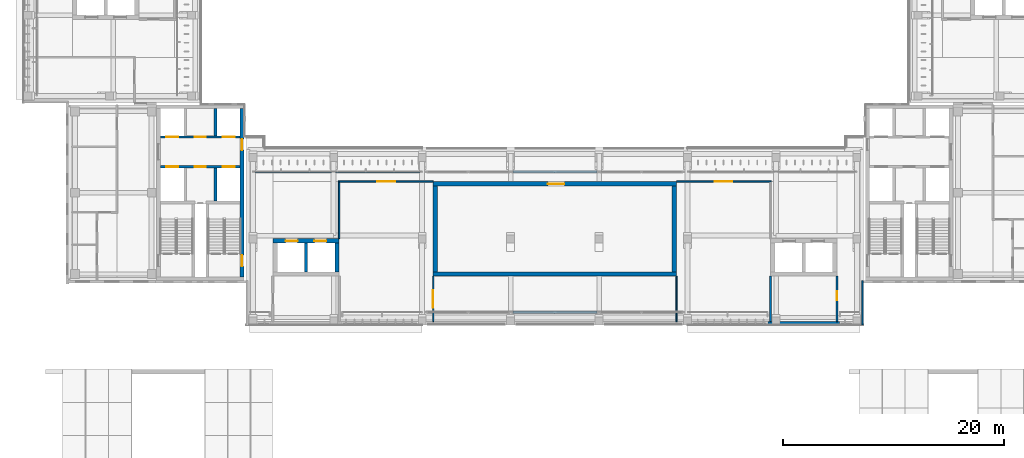
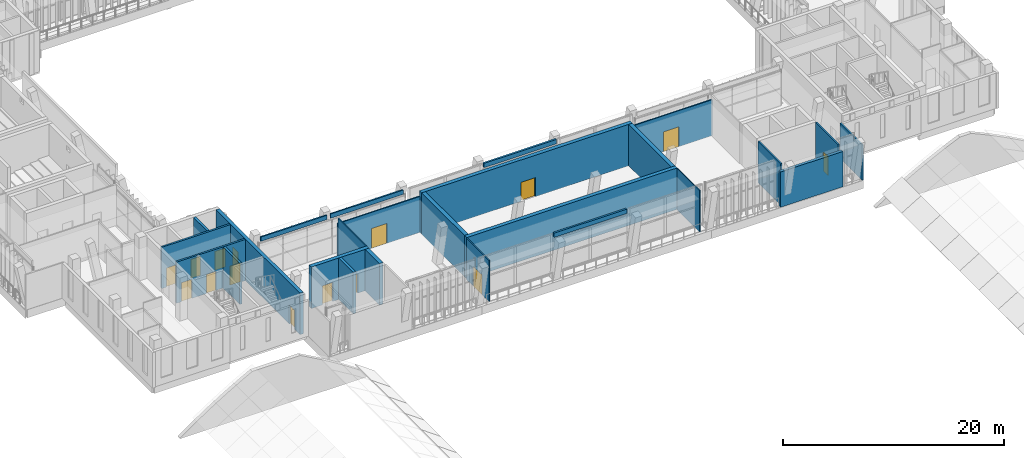
# One storey, part 43 of 74: 25 walls, 15 doors, 15 openings.
"""IFC4 building model written with IfcOpenShell, lengths in metres."""

from ifc_helpers import new_model, si_unit, direction, frame, frame_2d, origin, place, context, subcontext, project, spatial, rectangle, extrude, material, layer, layer_set, type_object, element, fill, save


model = new_model("IFC4")

# Units and contexts
model_context = context("Model", 3, precision=1e-05, world=origin(), true_north=direction((0.0, 1.0)))
body_context = subcontext(model_context, "Body", "Model", "MODEL_VIEW")
ifc_project = project(units=[si_unit("LENGTHUNIT", "METRE"), si_unit("AREAUNIT", "SQUARE_METRE"), si_unit("VOLUMEUNIT", "CUBIC_METRE"), si_unit("PLANEANGLEUNIT", "RADIAN"), si_unit("MASSUNIT", "GRAM", prefix="KILO")], contexts=[model_context])

# Site, building, storey
site_placement = place(None, origin())
site = spatial("IfcSite", under=ifc_project, at=site_placement, CompositionType="ELEMENT")
building_placement = place(site_placement, origin())
building = spatial("IfcBuilding", under=site, at=building_placement, Name="Lantern Court Media Centre", CompositionType="ELEMENT")
storey_placement = place(building_placement, frame((0.0, 0.0, 19.199951171875)))
storey = spatial("IfcBuildingStorey", under=building, at=storey_placement, Name="L04", CompositionType="ELEMENT", Elevation=19.199951171875)

# Wall
ifc_material_1 = material(Name="Gypsum board partition")
ifc_layer_1 = layer(ifc_material_1, 0.125)
ifc_layer_set_1 = layer_set([ifc_layer_1], Name="Gypsum board partition")
wall_type_1 = type_object("IfcWallType", Name="Corridor partition 125", PredefinedType="PARTITIONING", material=ifc_layer_set_1)
wall_1_placement = place(storey_placement, frame((32.5, 51.800048828125, 0.0), z_axis=(0.0, 0.0, 1.0), x_axis=(0.0, 1.0, 0.0)))
element("IfcWall", 1, at=wall_1_placement, inside=storey, type_object=wall_type_1, Name="L04 partition 006", PredefinedType="PARTITIONING", context=body_context, shape_type="SweptSolid", body=[
    extrude(rectangle(XDim=5.08740234375, YDim=0.125, at=frame_2d((2.543701171875, 0.0))), origin(), (0.0, 0.0, 1.0), 4.56005859375),
])

# Wall, opening, door
wall_2_placement = place(storey_placement, frame((32.4375, 56.949951171875, 0.0), z_axis=(0.0, 0.0, 1.0), x_axis=(1.0, 0.0, 0.0)))
wall_2 = element("IfcWall", 2, at=wall_2_placement, inside=storey, type_object=wall_type_1, Name="L04 partition 013", PredefinedType="PARTITIONING", context=body_context, shape_type="SweptSolid", body=[
    extrude(rectangle(XDim=8.5625, YDim=0.125, at=frame_2d((4.28125, 0.0))), origin(), (0.0, 0.0, 1.0), 3.97998046875),
])
opening_1_placement = place(wall_2_placement, frame((3.512451171875, 0.0, 0.0)))
opening_1 = element("IfcOpeningElement", 3, at=opening_1_placement, cuts=wall_2, Name="Opening L04-005", PredefinedType="OPENING", context=body_context, shape_type="SweptSolid", body=[
    extrude(rectangle(XDim=1.60009765625, YDim=2.199951171875, at=frame_2d((0.800048828125, 1.10009765625))), frame((0.0, 0.072509765625, 0.0), z_axis=(0.0, -1.0, 0.0), x_axis=(1.0, 0.0, 0.0)), (0.0, 0.0, 1.0), 0.14501953125),
])
ifc_material_2 = material(Name="Solid-core timber door leaf", Category="wood")
door_type_1 = type_object("IfcDoorType", Name="Double door 1600x2200", OperationType="NOTDEFINED", PredefinedType="DOOR", material=ifc_material_2)
door_1_placement = place(opening_1_placement, origin())
door_1 = element("IfcDoor", 4, at=door_1_placement, inside=storey, type_object=door_type_1, Name="L04 Digital Media Lab door", OperationType="DOUBLE_DOOR_SINGLE_SWING", OverallHeight=2.199951171875, OverallWidth=1.60009765625, PredefinedType="DOOR", context=body_context, shape_type="SweptSolid", body=[
    extrude(rectangle(XDim=1.60009765625, YDim=2.199951171875, at=frame_2d((0.800048828125, 1.10009765625))), frame((0.0, 0.02490234375, 0.0), z_axis=(0.0, -1.0, 0.0), x_axis=(1.0, 0.0, 0.0)), (0.0, 0.0, 1.0), 0.050048828125),
])
fill(opening_1, door_1)

wall_3_placement = place(storey_placement, frame((63.0, 56.949951171875, 0.0), z_axis=(0.0, 0.0, 1.0), x_axis=(1.0, 0.0, 0.0)))
wall_3 = element("IfcWall", 5, at=wall_3_placement, inside=storey, type_object=wall_type_1, Name="L04 partition 014", PredefinedType="PARTITIONING", context=body_context, shape_type="SweptSolid", body=[
    extrude(rectangle(XDim=8.5625, YDim=0.125, at=frame_2d((4.28125, 0.0))), origin(), (0.0, 0.0, 1.0), 3.97998046875),
])
opening_2_placement = place(wall_3_placement, frame((3.449951171875, 0.0, 0.0)))
opening_2 = element("IfcOpeningElement", 6, at=opening_2_placement, cuts=wall_3, Name="Opening L04-006", PredefinedType="OPENING", context=body_context, shape_type="SweptSolid", body=[
    extrude(rectangle(XDim=1.60009765625, YDim=2.199951171875, at=frame_2d((0.800048828125, 1.10009765625))), frame((0.0, 0.072509765625, 0.0), z_axis=(0.0, -1.0, 0.0), x_axis=(1.0, 0.0, 0.0)), (0.0, 0.0, 1.0), 0.14501953125),
])
door_2_placement = place(opening_2_placement, origin())
door_2 = element("IfcDoor", 7, at=door_2_placement, inside=storey, type_object=door_type_1, Name="L04 Children's and Youth Media Room door", OperationType="DOUBLE_DOOR_SINGLE_SWING", OverallHeight=2.199951171875, OverallWidth=1.60009765625, PredefinedType="DOOR", context=body_context, shape_type="SweptSolid", body=[
    extrude(rectangle(XDim=1.60009765625, YDim=2.199951171875, at=frame_2d((0.800048828125, 1.10009765625))), frame((0.0, 0.02490234375, 0.0), z_axis=(0.0, -1.0, 0.0), x_axis=(1.0, 0.0, 0.0)), (0.0, 0.0, 1.0), 0.050048828125),
])
fill(opening_2, door_2)

# Wall, openings, doors
ifc_material_3 = material(Name="Concrete C40", Category="concrete")
ifc_layer_2 = layer(ifc_material_3, 0.199951171875)
ifc_layer_set_2 = layer_set([ifc_layer_2], Name="Concrete C40")
wall_type_2 = type_object("IfcWallType", Name="Fire lobby wall 200", PredefinedType="SOLIDWALL", material=ifc_layer_set_2)
wall_4_placement = place(storey_placement, frame((16.35009765625, 58.300048828125, 0.0), z_axis=(0.0, 0.0, 1.0), x_axis=(1.0, 0.0, 0.0)))
wall_4 = element("IfcWall", 8, at=wall_4_placement, inside=storey, type_object=wall_type_2, Name="L04 SW FW1", PredefinedType="SOLIDWALL", context=body_context, shape_type="SweptSolid", body=[
    extrude(rectangle(XDim=7.199951171875, YDim=0.199951171875, at=frame_2d((3.60009765625, 0.0))), origin(), (0.0, 0.0, 1.0), 4.550048828125),
])
opening_3_placement = place(wall_4_placement, frame((0.5, 0.0, 0.0)))
opening_3 = element("IfcOpeningElement", 9, at=opening_3_placement, cuts=wall_4, Name="Opening LD-SWFF-L04", PredefinedType="OPENING", context=body_context, shape_type="SweptSolid", body=[
    extrude(rectangle(XDim=1.10009765625, YDim=2.10009765625, at=frame_2d((0.550048828125, 1.050048828125))), frame((0.0, 0.10986328125, 0.0), z_axis=(0.0, -1.0, 0.0), x_axis=(1.0, 0.0, 0.0)), (0.0, 0.0, 1.0), 0.219970703125),
])
opening_4_placement = place(wall_4_placement, frame((5.60009765625, 0.0, 0.0)))
opening_4 = element("IfcOpeningElement", 10, at=opening_4_placement, cuts=wall_4, Name="Opening LD-SWP1-L04", PredefinedType="OPENING", context=body_context, shape_type="SweptSolid", body=[
    extrude(rectangle(XDim=1.10009765625, YDim=2.10009765625, at=frame_2d((0.550048828125, 1.050048828125))), frame((0.0, 0.10986328125, 0.0), z_axis=(0.0, -1.0, 0.0), x_axis=(1.0, 0.0, 0.0)), (0.0, 0.0, 1.0), 0.219970703125),
])
opening_5_placement = place(wall_4_placement, frame((3.10009765625, 0.0, 0.0)))
opening_5 = element("IfcOpeningElement", 11, at=opening_5_placement, cuts=wall_4, Name="Opening SW-L04-03", PredefinedType="OPENING", context=body_context, shape_type="SweptSolid", body=[
    extrude(rectangle(XDim=1.0, YDim=2.10009765625, at=frame_2d((0.5, 1.050048828125))), frame((0.0, 0.10986328125, 0.0), z_axis=(0.0, -1.0, 0.0), x_axis=(1.0, 0.0, 0.0)), (0.0, 0.0, 1.0), 0.219970703125),
])
ifc_material_4 = material(Name="Steel door leaf", Category="steel")
door_type_2 = type_object("IfcDoorType", Name="Lift landing door 1100x2100", OperationType="DOUBLE_DOOR_SLIDING", PredefinedType="DOOR", material=ifc_material_4)
door_3_placement = place(opening_3_placement, origin())
door_3 = element("IfcDoor", 12, at=door_3_placement, inside=storey, type_object=door_type_2, Name="L04 SW lift FF landing door", OperationType="DOUBLE_DOOR_SLIDING", OverallHeight=2.10009765625, OverallWidth=1.10009765625, PredefinedType="DOOR", context=body_context, shape_type="SweptSolid", body=[
    extrude(rectangle(XDim=1.10009765625, YDim=2.10009765625, at=frame_2d((0.550048828125, 1.050048828125))), frame((0.0, 0.02490234375, 0.0), z_axis=(0.0, -1.0, 0.0), x_axis=(1.0, 0.0, 0.0)), (0.0, 0.0, 1.0), 0.050048828125),
])
fill(opening_3, door_3)
door_4_placement = place(opening_4_placement, origin())
door_4 = element("IfcDoor", 13, at=door_4_placement, inside=storey, type_object=door_type_2, Name="L04 SW lift P1 landing door", OperationType="DOUBLE_DOOR_SLIDING", OverallHeight=2.10009765625, OverallWidth=1.10009765625, PredefinedType="DOOR", context=body_context, shape_type="SweptSolid", body=[
    extrude(rectangle(XDim=1.10009765625, YDim=2.10009765625, at=frame_2d((0.550048828125, 1.050048828125))), frame((0.0, 0.02490234375, 0.0), z_axis=(0.0, -1.0, 0.0), x_axis=(1.0, 0.0, 0.0)), (0.0, 0.0, 1.0), 0.050048828125),
])
fill(opening_4, door_4)
door_type_3 = type_object("IfcDoorType", Name="Service door 1000x2100", OperationType="NOTDEFINED", PredefinedType="DOOR", material=ifc_material_4)
door_5_placement = place(opening_5_placement, origin())
door_5 = element("IfcDoor", 14, at=door_5_placement, inside=storey, type_object=door_type_3, Name="L04 SW services riser door", OperationType="SINGLE_SWING_LEFT", OverallHeight=2.10009765625, OverallWidth=1.0, PredefinedType="DOOR", context=body_context, shape_type="SweptSolid", body=[
    extrude(rectangle(XDim=1.0, YDim=2.10009765625, at=frame_2d((0.5, 1.050048828125))), frame((0.0, 0.02490234375, 0.0), z_axis=(0.0, -1.0, 0.0), x_axis=(1.0, 0.0, 0.0)), (0.0, 0.0, 1.0), 0.050048828125),
])
fill(opening_5, door_5)

wall_5_placement = place(storey_placement, frame((16.35009765625, 61.0, 0.0), z_axis=(0.0, 0.0, 1.0), x_axis=(1.0, 0.0, 0.0)))
wall_5 = element("IfcWall", 15, at=wall_5_placement, inside=storey, type_object=wall_type_2, Name="L04 SW FW2", PredefinedType="SOLIDWALL", context=body_context, shape_type="SweptSolid", body=[
    extrude(rectangle(XDim=7.199951171875, YDim=0.199951171875, at=frame_2d((3.60009765625, 0.0))), origin(), (0.0, 0.0, 1.0), 4.550048828125),
])
opening_6_placement = place(wall_5_placement, frame((0.5, 0.0, 0.0)))
opening_6 = element("IfcOpeningElement", 16, at=opening_6_placement, cuts=wall_5, Name="Opening LD-SWP2-L04", PredefinedType="OPENING", context=body_context, shape_type="SweptSolid", body=[
    extrude(rectangle(XDim=1.10009765625, YDim=2.10009765625, at=frame_2d((0.550048828125, 1.050048828125))), frame((0.0, 0.10986328125, 0.0), z_axis=(0.0, -1.0, 0.0), x_axis=(1.0, 0.0, 0.0)), (0.0, 0.0, 1.0), 0.219970703125),
])
opening_7_placement = place(wall_5_placement, frame((5.60009765625, 0.0, 0.0)))
opening_7 = element("IfcOpeningElement", 17, at=opening_7_placement, cuts=wall_5, Name="Opening LD-SWP3-L04", PredefinedType="OPENING", context=body_context, shape_type="SweptSolid", body=[
    extrude(rectangle(XDim=1.10009765625, YDim=2.10009765625, at=frame_2d((0.550048828125, 1.050048828125))), frame((0.0, 0.10986328125, 0.0), z_axis=(0.0, -1.0, 0.0), x_axis=(1.0, 0.0, 0.0)), (0.0, 0.0, 1.0), 0.219970703125),
])
opening_8_placement = place(wall_5_placement, frame((3.10009765625, 0.0, 0.0)))
opening_8 = element("IfcOpeningElement", 18, at=opening_8_placement, cuts=wall_5, Name="Opening SW-L04-04", PredefinedType="OPENING", context=body_context, shape_type="SweptSolid", body=[
    extrude(rectangle(XDim=1.0, YDim=2.10009765625, at=frame_2d((0.5, 1.050048828125))), frame((0.0, 0.10986328125, 0.0), z_axis=(0.0, -1.0, 0.0), x_axis=(1.0, 0.0, 0.0)), (0.0, 0.0, 1.0), 0.219970703125),
])
door_6_placement = place(opening_6_placement, frame((1.10009765625, 0.0, 0.0), z_axis=(0.0, 0.0, 1.0), x_axis=(-1.0, 0.0, 0.0)))
door_6 = element("IfcDoor", 19, at=door_6_placement, inside=storey, type_object=door_type_2, Name="L04 SW lift P2 landing door", OperationType="DOUBLE_DOOR_SLIDING", OverallHeight=2.10009765625, OverallWidth=1.10009765625, PredefinedType="DOOR", context=body_context, shape_type="SweptSolid", body=[
    extrude(rectangle(XDim=1.10009765625, YDim=2.10009765625, at=frame_2d((0.550048828125, 1.050048828125))), frame((0.0, 0.02490234375, 0.0), z_axis=(0.0, -1.0, 0.0), x_axis=(1.0, 0.0, 0.0)), (0.0, 0.0, 1.0), 0.050048828125),
])
fill(opening_6, door_6)
door_7_placement = place(opening_7_placement, frame((1.10009765625, 0.0, 0.0), z_axis=(0.0, 0.0, 1.0), x_axis=(-1.0, 0.0, 0.0)))
door_7 = element("IfcDoor", 20, at=door_7_placement, inside=storey, type_object=door_type_2, Name="L04 SW lift P3 landing door", OperationType="DOUBLE_DOOR_SLIDING", OverallHeight=2.10009765625, OverallWidth=1.10009765625, PredefinedType="DOOR", context=body_context, shape_type="SweptSolid", body=[
    extrude(rectangle(XDim=1.10009765625, YDim=2.10009765625, at=frame_2d((0.550048828125, 1.050048828125))), frame((0.0, 0.02490234375, 0.0), z_axis=(0.0, -1.0, 0.0), x_axis=(1.0, 0.0, 0.0)), (0.0, 0.0, 1.0), 0.050048828125),
])
fill(opening_7, door_7)
door_8_placement = place(opening_8_placement, frame((1.0, 0.0, 0.0), z_axis=(0.0, 0.0, 1.0), x_axis=(-1.0, 0.0, 0.0)))
door_8 = element("IfcDoor", 21, at=door_8_placement, inside=storey, type_object=door_type_3, Name="L04 SW accessible WC door", OperationType="SINGLE_SWING_RIGHT", OverallHeight=2.10009765625, OverallWidth=1.0, PredefinedType="DOOR", context=body_context, shape_type="SweptSolid", body=[
    extrude(rectangle(XDim=1.0, YDim=2.10009765625, at=frame_2d((0.5, 1.050048828125))), frame((0.0, 0.02490234375, 0.0), z_axis=(0.0, -1.0, 0.0), x_axis=(1.0, 0.0, 0.0)), (0.0, 0.0, 1.0), 0.050048828125),
])
fill(opening_8, door_8)

# Walls
ifc_material_5 = material(Name="Insulated rendered blockwork", Category="masonry")
ifc_layer_3 = layer(ifc_material_5, 0.14990234375)
ifc_layer_set_3 = layer_set([ifc_layer_3], Name="Insulated rendered blockwork")
wall_type_3 = type_object("IfcWallType", Name="Head infill wall 150", PredefinedType="SOLIDWALL", material=ifc_layer_set_3)
wall_6_placement = place(storey_placement, frame((24.89990234375, 57.85009765625, 4.10009765625), z_axis=(0.0, 0.0, 1.0), x_axis=(1.0, 0.0, 0.0)))
element("IfcWall", 22, at=wall_6_placement, inside=storey, type_object=wall_type_3, Name="Head infill wall S inner L04", PredefinedType="SOLIDWALL", context=body_context, shape_type="SweptSolid", body=[
    extrude(rectangle(XDim=6.900146484375, YDim=0.14990234375, at=frame_2d((3.4501953125, 0.0))), origin(), (0.0, 0.0, 1.0), 0.47998046875),
])
wall_7_placement = place(storey_placement, frame((32.199951171875, 57.85009765625, 4.10009765625), z_axis=(0.0, 0.0, 1.0), x_axis=(1.0, 0.0, 0.0)))
element("IfcWall", 23, at=wall_7_placement, inside=storey, type_object=wall_type_3, Name="Head infill wall S inner L04", PredefinedType="SOLIDWALL", context=body_context, shape_type="SweptSolid", body=[
    extrude(rectangle(XDim=7.60009765625, YDim=0.14990234375, at=frame_2d((3.800048828125, 0.0))), origin(), (0.0, 0.0, 1.0), 0.47998046875),
])
ifc_layer_4 = layer(ifc_material_5, 0.199951171875)
ifc_layer_set_4 = layer_set([ifc_layer_4], Name="Insulated rendered blockwork")
wall_type_4 = type_object("IfcWallType", Name="Head infill wall 200", PredefinedType="SOLIDWALL", material=ifc_layer_set_4)
for number, where, z_axis, x_axis, name in (
    (24, (48.199951171875, 45.14990234375, 4.10009765625), (0.0, 0.0, 1.0), (1.0, 0.0, 0.0), "Head infill wall S hall"),
    (25, (48.199951171875, 57.85009765625, 4.10009765625), (0.0, 0.0, 1.0), (1.0, 0.0, 0.0), "Head infill wall S hall"),
):
    element("IfcWall", number, at=place(storey_placement, frame(where, z_axis=z_axis, x_axis=x_axis)), inside=storey, type_object=wall_type_4, Name=name, PredefinedType="SOLIDWALL", context=body_context, shape_type="SweptSolid", body=[
        extrude(rectangle(XDim=7.60009765625, YDim=0.199951171875, at=frame_2d((3.800048828125, 0.0))), origin(), (0.0, 0.0, 1.0), 0.47998046875),
    ])
ifc_material_6 = material(Name="Honed limestone cladding on blockwork", Category="masonry")
ifc_layer_5 = layer(ifc_material_6, 0.139892578125)
ifc_layer_set_5 = layer_set([ifc_layer_5], Name="Honed limestone cladding on blockwork")
wall_type_5 = type_object("IfcWallType", Name="Limestone closure wall 140", PredefinedType="SOLIDWALL", material=ifc_layer_set_5)
wall_8_placement = place(storey_placement, frame((79.830078125, 44.0, 0.0), z_axis=(0.0, 0.0, 1.0), x_axis=(0.0, 1.0, 0.0)))
element("IfcWall", 26, at=wall_8_placement, inside=storey, type_object=wall_type_5, Name="Limestone closure wall S-SE L04", PredefinedType="SOLIDWALL", context=body_context, shape_type="SweptSolid", body=[
    extrude(rectangle(XDim=4.0, YDim=0.139892578125, at=frame_2d((2.0, 0.0))), origin(), (0.0, 0.0, 1.0), 3.900146484375),
])
ifc_layer_6 = layer(ifc_material_6, 0.300048828125)
ifc_layer_set_6 = layer_set([ifc_layer_6], Name="Honed limestone cladding on blockwork")
wall_type_6 = type_object("IfcWallType", Name="Limestone flank wall 300", PredefinedType="SOLIDWALL", material=ifc_layer_set_6)
wall_9_placement = place(storey_placement, frame((71.25, 44.14990234375, 0.0), z_axis=(0.0, 0.0, 1.0), x_axis=(1.0, 0.0, 0.0)))
element("IfcWall", 27, at=wall_9_placement, inside=storey, type_object=wall_type_6, Name="Limestone flank wall S outer L04", PredefinedType="SOLIDWALL", context=body_context, shape_type="SweptSolid", body=[
    extrude(rectangle(XDim=6.5, YDim=0.300048828125, at=frame_2d((3.25, 0.0))), origin(), (0.0, 0.0, 1.0), 3.900146484375),
])

# Wall, opening, door
ifc_layer_7 = layer(ifc_material_1, 0.10009765625)
ifc_layer_set_7 = layer_set([ifc_layer_7], Name="Gypsum board partition")
wall_type_7 = type_object("IfcWallType", Name="Partition 100", PredefinedType="PARTITIONING", material=ifc_layer_set_7)
wall_10_placement = place(storey_placement, frame((41.0, 44.300048828125, 0.0), z_axis=(0.0, 0.0, 1.0), x_axis=(0.0, 1.0, 0.0)))
wall_10 = element("IfcWall", 28, at=wall_10_placement, inside=storey, type_object=wall_type_7, Name="L04 partition 011", PredefinedType="PARTITIONING", context=body_context, shape_type="SweptSolid", body=[
    extrude(rectangle(XDim=4.099853515625, YDim=0.10009765625, at=frame_2d((2.0498046875, 0.0))), origin(), (0.0, 0.0, 1.0), 4.56005859375),
])
opening_9_placement = place(wall_10_placement, frame((1.25, 0.0, 0.0)))
opening_9 = element("IfcOpeningElement", 29, at=opening_9_placement, cuts=wall_10, Name="Opening L04-004", PredefinedType="OPENING", context=body_context, shape_type="SweptSolid", body=[
    extrude(rectangle(XDim=1.60009765625, YDim=2.199951171875, at=frame_2d((0.800048828125, 1.10009765625))), frame((0.0, 0.06005859375, 0.0), z_axis=(0.0, -1.0, 0.0), x_axis=(1.0, 0.0, 0.0)), (0.0, 0.0, 1.0), 0.1201171875),
])
door_9_placement = place(opening_9_placement, frame((1.60009765625, 0.0, 0.0), z_axis=(0.0, 0.0, 1.0), x_axis=(-1.0, 0.0, 0.0)))
door_9 = element("IfcDoor", 30, at=door_9_placement, inside=storey, type_object=door_type_1, Name="L04 Reading Carrels door", OperationType="DOUBLE_DOOR_SINGLE_SWING", OverallHeight=2.199951171875, OverallWidth=1.60009765625, PredefinedType="DOOR", context=body_context, shape_type="SweptSolid", body=[
    extrude(rectangle(XDim=1.60009765625, YDim=2.199951171875, at=frame_2d((0.800048828125, 1.10009765625))), frame((0.0, 0.02490234375, 0.0), z_axis=(0.0, -1.0, 0.0), x_axis=(1.0, 0.0, 0.0)), (0.0, 0.0, 1.0), 0.050048828125),
])
fill(opening_9, door_9)

# Wall
wall_11_placement = place(storey_placement, frame((63.0, 44.300048828125, 0.0), z_axis=(0.0, 0.0, 1.0), x_axis=(0.0, 1.0, 0.0)))
element("IfcWall", 31, at=wall_11_placement, inside=storey, type_object=wall_type_7, Name="L04 partition 012", PredefinedType="PARTITIONING", context=body_context, shape_type="SweptSolid", body=[
    extrude(rectangle(XDim=4.099853515625, YDim=0.10009765625, at=frame_2d((2.0498046875, 0.0))), origin(), (0.0, 0.0, 1.0), 4.56005859375),
])

# Wall, openings, doors
ifc_layer_8 = layer(ifc_material_3, 0.35009765625)
ifc_layer_set_8 = layer_set([ifc_layer_8], Name="Concrete C40")
wall_type_8 = type_object("IfcWallType", Name="RC CORE WALL 350", PredefinedType="SHEAR", material=ifc_layer_set_8)
wall_12_placement = place(storey_placement, frame((23.72509765625, 48.35009765625, 0.0), z_axis=(0.0, 0.0, 1.0), x_axis=(0.0, 1.0, 0.0)))
wall_12 = element("IfcWall", 32, at=wall_12_placement, inside=storey, type_object=wall_type_8, Name="WC-SW-L04-E", PredefinedType="SHEAR", context=body_context, shape_type="SweptSolid", body=[
    extrude(rectangle(XDim=15.199951171875, YDim=0.35009765625, at=frame_2d((7.60009765625, 0.0))), origin(), (0.0, 0.0, 1.0), 4.580078125),
])
opening_10_placement = place(wall_12_placement, frame((0.949951171875, 0.0, 0.0)))
opening_10 = element("IfcOpeningElement", 33, at=opening_10_placement, cuts=wall_12, Name="Opening SW-L04-02", PredefinedType="OPENING", context=body_context, shape_type="SweptSolid", body=[
    extrude(rectangle(XDim=1.0, YDim=2.10009765625, at=frame_2d((0.5, 1.050048828125))), frame((0.0, 0.18505859375, 0.0), z_axis=(0.0, -1.0, 0.0), x_axis=(1.0, 0.0, 0.0)), (0.0, 0.0, 1.0), 0.3701171875),
])
opening_11_placement = place(wall_12_placement, frame((11.449951171875, 0.0, 0.0)))
opening_11 = element("IfcOpeningElement", 34, at=opening_11_placement, cuts=wall_12, Name="Opening SW-L04-06", PredefinedType="OPENING", context=body_context, shape_type="SweptSolid", body=[
    extrude(rectangle(XDim=1.0, YDim=2.10009765625, at=frame_2d((0.5, 1.050048828125))), frame((0.0, 0.18505859375, 0.0), z_axis=(0.0, -1.0, 0.0), x_axis=(1.0, 0.0, 0.0)), (0.0, 0.0, 1.0), 0.3701171875),
])
door_type_4 = type_object("IfcDoorType", Name="Lift lobby single door 1000x2100", OperationType="NOTDEFINED", PredefinedType="DOOR", material=ifc_material_4)
door_10_placement = place(opening_11_placement, frame((1.0, 0.0, 0.0), z_axis=(0.0, 0.0, 1.0), x_axis=(-1.0, 0.0, 0.0)))
door_10 = element("IfcDoor", 35, at=door_10_placement, inside=storey, type_object=door_type_4, Name="L04 SW lift lobby east door", OperationType="SINGLE_SWING_RIGHT", OverallHeight=2.10009765625, OverallWidth=1.0, PredefinedType="DOOR", context=body_context, shape_type="SweptSolid", body=[
    extrude(rectangle(XDim=1.0, YDim=2.10009765625, at=frame_2d((0.5, 1.050048828125))), frame((0.0, 0.02490234375, 0.0), z_axis=(0.0, -1.0, 0.0), x_axis=(1.0, 0.0, 0.0)), (0.0, 0.0, 1.0), 0.050048828125),
])
fill(opening_11, door_10)
door_type_5 = type_object("IfcDoorType", Name="Stair door 1000x2100", OperationType="NOTDEFINED", PredefinedType="DOOR", material=ifc_material_4)
door_11_placement = place(opening_10_placement, frame((1.0, 0.0, 0.0), z_axis=(0.0, 0.0, 1.0), x_axis=(-1.0, 0.0, 0.0)))
door_11 = element("IfcDoor", 36, at=door_11_placement, inside=storey, type_object=door_type_5, Name="L04 SW stair B door", OperationType="SINGLE_SWING_RIGHT", OverallHeight=2.10009765625, OverallWidth=1.0, PredefinedType="DOOR", context=body_context, shape_type="SweptSolid", body=[
    extrude(rectangle(XDim=1.0, YDim=2.10009765625, at=frame_2d((0.5, 1.050048828125))), frame((0.0, 0.02490234375, 0.0), z_axis=(0.0, -1.0, 0.0), x_axis=(1.0, 0.0, 0.0)), (0.0, 0.0, 1.0), 0.050048828125),
])
fill(opening_10, door_11)

# Wall
ifc_layer_9 = layer(ifc_material_3, 0.300048828125)
ifc_layer_set_9 = layer_set([ifc_layer_9], Name="Concrete C40")
wall_type_9 = type_object("IfcWallType", Name="RC SHEAR WALL 300", PredefinedType="SHEAR", material=ifc_layer_set_9)
wall_13_placement = place(storey_placement, frame((29.5, 48.800048828125, 0.0), z_axis=(0.0, 0.0, 1.0), x_axis=(0.0, 1.0, 0.0)))
element("IfcWall", 37, at=wall_13_placement, inside=storey, type_object=wall_type_9, Name="WB-S-LC1-L04-D", PredefinedType="SHEAR", context=body_context, shape_type="SweptSolid", body=[
    extrude(rectangle(XDim=2.599853515625, YDim=0.300048828125, at=frame_2d((1.2998046875, 0.0))), origin(), (0.0, 0.0, 1.0), 4.580078125),
])

# Wall, openings, doors
ifc_layer_10 = layer(ifc_material_3, 0.39990234375)
ifc_layer_set_10 = layer_set([ifc_layer_10], Name="Concrete C40")
wall_type_10 = type_object("IfcWallType", Name="RC SHEAR WALL 400", PredefinedType="SHEAR", material=ifc_layer_set_10)
wall_14_placement = place(storey_placement, frame((26.5, 51.60009765625, 0.0), z_axis=(0.0, 0.0, 1.0), x_axis=(1.0, 0.0, 0.0)))
wall_14 = element("IfcWall", 38, at=wall_14_placement, inside=storey, type_object=wall_type_10, Name="WB-S-LC1-L04-N", PredefinedType="SHEAR", context=body_context, shape_type="SweptSolid", body=[
    extrude(rectangle(XDim=6.0, YDim=0.39990234375, at=frame_2d((3.0, 0.0))), origin(), (0.0, 0.0, 1.0), 4.580078125),
])
opening_12_placement = place(wall_14_placement, frame((1.14990234375, 0.0, 0.0)))
opening_12 = element("IfcOpeningElement", 39, at=opening_12_placement, cuts=wall_14, Name="Opening LD-S-LC1P-L04", PredefinedType="OPENING", context=body_context, shape_type="SweptSolid", body=[
    extrude(rectangle(XDim=1.10009765625, YDim=2.10009765625, at=frame_2d((0.550048828125, 1.050048828125))), frame((0.0, 0.2099609375, 0.0), z_axis=(0.0, -1.0, 0.0), x_axis=(1.0, 0.0, 0.0)), (0.0, 0.0, 1.0), 0.419921875),
])
opening_13_placement = place(wall_14_placement, frame((3.75, 0.0, 0.0)))
opening_13 = element("IfcOpeningElement", 40, at=opening_13_placement, cuts=wall_14, Name="Opening LD-S-LC1S-L04", PredefinedType="OPENING", context=body_context, shape_type="SweptSolid", body=[
    extrude(rectangle(XDim=1.10009765625, YDim=2.10009765625, at=frame_2d((0.550048828125, 1.050048828125))), frame((0.0, 0.2099609375, 0.0), z_axis=(0.0, -1.0, 0.0), x_axis=(1.0, 0.0, 0.0)), (0.0, 0.0, 1.0), 0.419921875),
])
door_12_placement = place(opening_12_placement, origin())
door_12 = element("IfcDoor", 41, at=door_12_placement, inside=storey, type_object=door_type_2, Name="L04 S-LC1 passenger lift landing door", OperationType="DOUBLE_DOOR_SLIDING", OverallHeight=2.10009765625, OverallWidth=1.10009765625, PredefinedType="DOOR", context=body_context, shape_type="SweptSolid", body=[
    extrude(rectangle(XDim=1.10009765625, YDim=2.10009765625, at=frame_2d((0.550048828125, 1.050048828125))), frame((0.0, 0.02490234375, 0.0), z_axis=(0.0, -1.0, 0.0), x_axis=(1.0, 0.0, 0.0)), (0.0, 0.0, 1.0), 0.050048828125),
])
fill(opening_12, door_12)
door_13_placement = place(opening_13_placement, origin())
door_13 = element("IfcDoor", 42, at=door_13_placement, inside=storey, type_object=door_type_2, Name="L04 S-LC1 service lift landing door", OperationType="DOUBLE_DOOR_SLIDING", OverallHeight=2.10009765625, OverallWidth=1.10009765625, PredefinedType="DOOR", context=body_context, shape_type="SweptSolid", body=[
    extrude(rectangle(XDim=1.10009765625, YDim=2.10009765625, at=frame_2d((0.550048828125, 1.050048828125))), frame((0.0, 0.02490234375, 0.0), z_axis=(0.0, -1.0, 0.0), x_axis=(1.0, 0.0, 0.0)), (0.0, 0.0, 1.0), 0.050048828125),
])
fill(opening_13, door_13)

# Walls
wall_15_placement = place(storey_placement, frame((32.300048828125, 48.800048828125, 0.0), z_axis=(0.0, 0.0, 1.0), x_axis=(0.0, 1.0, 0.0)))
element("IfcWall", 43, at=wall_15_placement, inside=storey, type_object=wall_type_10, Name="WB-S-LC1-L04-E", PredefinedType="SHEAR", context=body_context, shape_type="SweptSolid", body=[
    extrude(rectangle(XDim=2.599853515625, YDim=0.39990234375, at=frame_2d((1.2998046875, 0.0))), origin(), (0.0, 0.0, 1.0), 4.580078125),
])
wall_16_placement = place(storey_placement, frame((41.0, 48.60009765625, 0.0), z_axis=(0.0, 0.0, 1.0), x_axis=(1.0, 0.0, 0.0)))
element("IfcWall", 44, at=wall_16_placement, inside=storey, type_object=wall_type_10, Name="WB-S-STK-L04-S", PredefinedType="SHEAR", context=body_context, shape_type="SweptSolid", body=[
    extrude(rectangle(XDim=22.0, YDim=0.39990234375, at=frame_2d((11.0, 0.0))), origin(), (0.0, 0.0, 1.0), 4.580078125),
])

# Wall, opening, door
wall_17_placement = place(storey_placement, frame((41.0, 56.75, 0.0), z_axis=(0.0, 0.0, 1.0), x_axis=(1.0, 0.0, 0.0)))
wall_17 = element("IfcWall", 45, at=wall_17_placement, inside=storey, type_object=wall_type_10, Name="WB-S-STK-L04-N", PredefinedType="SHEAR", context=body_context, shape_type="SweptSolid", body=[
    extrude(rectangle(XDim=22.0, YDim=0.39990234375, at=frame_2d((11.0, 0.0))), origin(), (0.0, 0.0, 1.0), 4.580078125),
])
opening_14_placement = place(wall_17_placement, frame((10.365966796875, 0.0, 0.0)))
opening_14 = element("IfcOpeningElement", 46, at=opening_14_placement, cuts=wall_17, Name="Opening L04-003", PredefinedType="OPENING", context=body_context, shape_type="SweptSolid", body=[
    extrude(rectangle(XDim=1.5, YDim=2.10009765625, at=frame_2d((0.75, 1.050048828125))), frame((0.0, 0.2099609375, 0.0), z_axis=(0.0, -1.0, 0.0), x_axis=(1.0, 0.0, 0.0)), (0.0, 0.0, 1.0), 0.419921875),
])
door_type_6 = type_object("IfcDoorType", Name="Stack hall double door 1500x2100", OperationType="NOTDEFINED", PredefinedType="DOOR", material=ifc_material_2)
door_14_placement = place(opening_14_placement, origin())
door_14 = element("IfcDoor", 47, at=door_14_placement, inside=storey, type_object=door_type_6, Name="L04 Library Stacks door", OperationType="SINGLE_SWING_RIGHT", OverallHeight=2.10009765625, OverallWidth=1.5, PredefinedType="DOOR", context=body_context, shape_type="SweptSolid", body=[
    extrude(rectangle(XDim=1.5, YDim=2.10009765625, at=frame_2d((0.75, 1.050048828125))), frame((0.0, 0.02490234375, 0.0), z_axis=(0.0, -1.0, 0.0), x_axis=(1.0, 0.0, 0.0)), (0.0, 0.0, 1.0), 0.050048828125),
])
fill(opening_14, door_14)

# Walls
for number, where, z_axis, x_axis, name in (
    (48, (41.199951171875, 48.800048828125, 0.0), (0.0, 0.0, 1.0), (0.0, 1.0, 0.0), "WB-S-STK-L04-W"),
    (49, (62.800048828125, 48.800048828125, 0.0), (0.0, 0.0, 1.0), (0.0, 1.0, 0.0), "WB-S-STK-L04-E"),
):
    element("IfcWall", number, at=place(storey_placement, frame(where, z_axis=z_axis, x_axis=x_axis)), inside=storey, type_object=wall_type_10, Name=name, PredefinedType="SHEAR", context=body_context, shape_type="SweptSolid", body=[
        extrude(rectangle(XDim=7.75, YDim=0.39990234375, at=frame_2d((3.875, 0.0))), origin(), (0.0, 0.0, 1.0), 4.580078125),
    ])
ifc_layer_11 = layer(ifc_material_3, 0.25)
ifc_layer_set_11 = layer_set([ifc_layer_11], Name="Concrete C40")
wall_type_11 = type_object("IfcWallType", Name="RC lift shaft wall 250", PredefinedType="SOLIDWALL", material=ifc_layer_set_11)
wall_18_placement = place(storey_placement, frame((21.324951171875, 55.199951171875, 0.0), z_axis=(0.0, 0.0, 1.0), x_axis=(0.0, 1.0, 0.0)))
element("IfcWall", 50, at=wall_18_placement, inside=storey, type_object=wall_type_11, Name="L04 SW L2a", PredefinedType="SOLIDWALL", context=body_context, shape_type="SweptSolid", body=[
    extrude(rectangle(XDim=3.0, YDim=0.25, at=frame_2d((1.5, 0.0))), origin(), (0.0, 0.0, 1.0), 4.550048828125),
])
wall_19_placement = place(storey_placement, frame((21.324951171875, 61.10009765625, 0.0), z_axis=(0.0, 0.0, 1.0), x_axis=(0.0, 1.0, 0.0)))
element("IfcWall", 51, at=wall_19_placement, inside=storey, type_object=wall_type_11, Name="L04 SW L2b", PredefinedType="SOLIDWALL", context=body_context, shape_type="SweptSolid", body=[
    extrude(rectangle(XDim=2.449951171875, YDim=0.25, at=frame_2d((1.22509765625, 0.0))), origin(), (0.0, 0.0, 1.0), 4.550048828125),
])

# Wall, opening, door
ifc_material_7 = material(Name="Fire-rated gypsum board")
ifc_layer_12 = layer(ifc_material_7, 0.159912109375)
ifc_layer_set_12 = layer_set([ifc_layer_12], Name="Fire-rated gypsum board")
wall_type_12 = type_object("IfcWallType", Name="Riser shaft liner wall 160", PredefinedType="PARTITIONING", material=ifc_layer_set_12)
wall_20_placement = place(storey_placement, frame((77.5, 44.300048828125, 0.0), z_axis=(0.0, 0.0, 1.0), x_axis=(0.0, 1.0, 0.0)))
wall_20 = element("IfcWall", 52, at=wall_20_placement, inside=storey, type_object=wall_type_12, Name="L04 partition 002", PredefinedType="PARTITIONING", context=body_context, shape_type="SweptSolid", body=[
    extrude(rectangle(XDim=4.099853515625, YDim=0.159912109375, at=frame_2d((2.0498046875, 0.0))), origin(), (0.0, 0.0, 1.0), 4.56005859375),
])
opening_15_placement = place(wall_20_placement, frame((1.925048828125, 0.0, 0.0)))
opening_15 = element("IfcOpeningElement", 53, at=opening_15_placement, cuts=wall_20, Name="Opening L04-002", PredefinedType="OPENING", context=body_context, shape_type="SweptSolid", body=[
    extrude(rectangle(XDim=0.800048828125, YDim=2.10009765625, at=frame_2d((0.39990234375, 1.050048828125))), frame((0.0, 0.08984375, 0.0), z_axis=(0.0, -1.0, 0.0), x_axis=(1.0, 0.0, 0.0)), (0.0, 0.0, 1.0), 0.179931640625),
])
door_type_7 = type_object("IfcDoorType", Name="Riser access fire door 800x2100", OperationType="NOTDEFINED", PredefinedType="DOOR", material=ifc_material_4)
door_15_placement = place(opening_15_placement, origin())
door_15 = element("IfcDoor", 54, at=door_15_placement, inside=storey, type_object=door_type_7, Name="L04 Services Duct door", OperationType="SINGLE_SWING_LEFT", OverallHeight=2.10009765625, OverallWidth=0.800048828125, PredefinedType="DOOR", context=body_context, shape_type="SweptSolid", body=[
    extrude(rectangle(XDim=0.800048828125, YDim=2.10009765625, at=frame_2d((0.39990234375, 1.050048828125))), frame((0.0, 0.02490234375, 0.0), z_axis=(0.0, -1.0, 0.0), x_axis=(1.0, 0.0, 0.0)), (0.0, 0.0, 1.0), 0.050048828125),
])
fill(opening_15, door_15)

# Wall
wall_21_placement = place(storey_placement, frame((71.5, 44.300048828125, 0.0), z_axis=(0.0, 0.0, 1.0), x_axis=(0.0, 1.0, 0.0)))
element("IfcWall", 55, at=wall_21_placement, inside=storey, type_object=wall_type_12, Name="L04 partition 009", PredefinedType="PARTITIONING", context=body_context, shape_type="SweptSolid", body=[
    extrude(rectangle(XDim=4.099853515625, YDim=0.159912109375, at=frame_2d((2.0498046875, 0.0))), origin(), (0.0, 0.0, 1.0), 4.56005859375),
])

save(model, "model.ifc")
